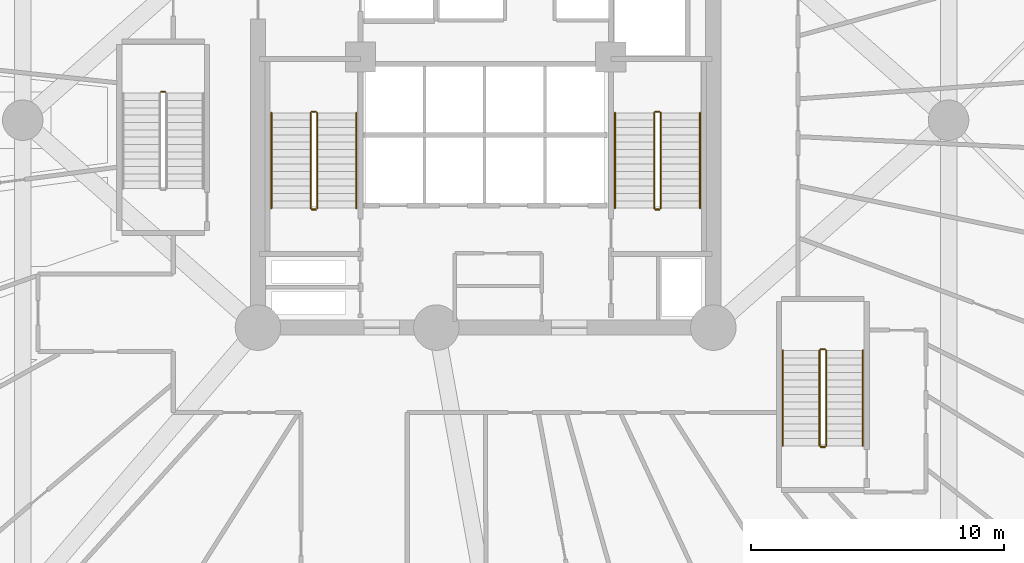
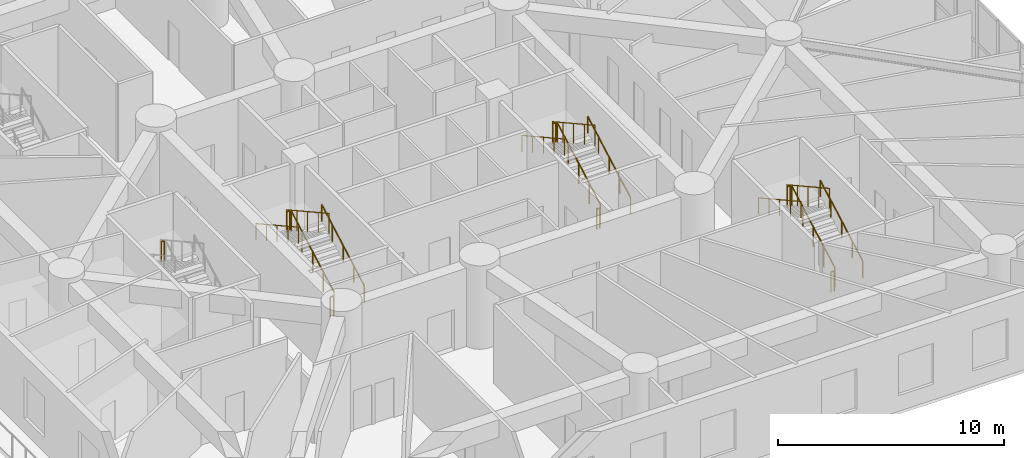
# One storey, part 21 of 24: 19 railings.
"""IFC4 building model written with IfcOpenShell, lengths in metres."""

from ifc_helpers import new_model, si_unit, direction, frame, origin, origin_2d, place, context, subcontext, project, spatial, circle, extrude, material, layer, layer_set, type_object, element, save


model = new_model("IFC4")

# Units and contexts
model_context = context("Model", 3, precision=1e-05, world=origin(), true_north=direction((0.0, 1.0)))
body_context = subcontext(model_context, "Body", "Model", "MODEL_VIEW")
ifc_project = project(units=[si_unit("LENGTHUNIT", "METRE"), si_unit("AREAUNIT", "SQUARE_METRE"), si_unit("VOLUMEUNIT", "CUBIC_METRE"), si_unit("PLANEANGLEUNIT", "RADIAN"), si_unit("MASSUNIT", "GRAM", prefix="KILO")], contexts=[model_context])

# Site, building, storey
site_placement = place(None, origin())
site = spatial("IfcSite", under=ifc_project, at=site_placement, CompositionType="ELEMENT")
building_placement = place(site_placement, origin())
building = spatial("IfcBuilding", under=site, at=building_placement, Name="Karkom Vertical University and Central Library", CompositionType="ELEMENT")
storey_placement = place(building_placement, frame((0.0, 0.0, 13.5)))
storey = spatial("IfcBuildingStorey", under=building, at=storey_placement, Name="L03", CompositionType="ELEMENT", Elevation=13.5)

# Railings
ifc_material_1 = material(Name="Painted galvanised steel balustrade", Category="steel")
ifc_layer_1 = layer(ifc_material_1, 0.06005859375)
ifc_layer_set_1 = layer_set([ifc_layer_1], Name="Painted galvanised steel balustrade")
railing_type_1 = type_object("IfcRailingType", Name="INT-RL-GUARD1100", PredefinedType="GUARDRAIL", material=ifc_layer_set_1)
railing_1_placement = place(storey_placement, frame((21.840087890625, 23.02001953125, 0.16064453125)))
element("IfcRailing", 1, at=railing_1_placement, inside=storey, type_object=railing_type_1, Name="Level 03 ST-1 stair guard 1", PredefinedType="GUARDRAIL", context=body_context, shape_type="SweptSolid", body=[
    extrude(circle(Radius=0.02392578125, at=origin_2d()), frame((0.0, 0.0, 1.076171875), z_axis=(0.0, 0.874659101714, 0.484738543742), x_axis=(-1.0, 0.0, 0.0)), (0.0, 0.0, 1.0), 4.310302734375),
    extrude(circle(Radius=0.02099609375, at=origin_2d()), origin(), (0.0, 0.0, 1.0), 1.052001953125),
    extrude(circle(Radius=0.02099609375, at=origin_2d()), frame((0.0, 0.9423828125, 0.5224609375)), (0.0, 0.0, 1.0), 1.052001953125),
    extrude(circle(Radius=0.02099609375, at=origin_2d()), frame((0.0, 1.885009765625, 1.044677734375)), (0.0, 0.0, 1.0), 1.052001953125),
    extrude(circle(Radius=0.02099609375, at=origin_2d()), frame((0.0, 2.82763671875, 1.56689453125)), (0.0, 0.0, 1.0), 1.052001953125),
    extrude(circle(Radius=0.02099609375, at=origin_2d()), frame((0.0, 3.77001953125, 2.08935546875)), (0.0, 0.0, 1.0), 1.052001953125),
])
railing_2_placement = place(storey_placement, frame((21.7900390625, 26.840087890625, 2.25)))
element("IfcRailing", 2, at=railing_2_placement, inside=storey, type_object=railing_type_1, Name="Level 03 ST-1 stair guard 2", PredefinedType="GUARDRAIL", context=body_context, shape_type="SweptSolid", body=[
    extrude(circle(Radius=0.02392578125, at=origin_2d()), frame((0.0, 0.0, 1.076171875), z_axis=(-1.0, 0.0, 0.0), x_axis=(0.0, -1.0, 0.0)), (0.0, 0.0, 1.0), 0.16015625),
    extrude(circle(Radius=0.02099609375, at=origin_2d()), origin(), (0.0, 0.0, 1.0), 1.052001953125),
    extrude(circle(Radius=0.02099609375, at=origin_2d()), frame((-0.16015625, 0.0, 0.0)), (0.0, 0.0, 1.0), 1.052001953125),
])
railing_3_placement = place(storey_placement, frame((21.580078125, 26.7900390625, 2.41064453125)))
element("IfcRailing", 3, at=railing_3_placement, inside=storey, type_object=railing_type_1, Name="Level 03 ST-1 stair guard 3", PredefinedType="GUARDRAIL", context=body_context, shape_type="SweptSolid", body=[
    extrude(circle(Radius=0.02392578125, at=origin_2d()), frame((0.0, 0.0, 1.076171875), z_axis=(0.0, -0.874659101714, 0.484738543742), x_axis=(1.0, 0.0, 0.0)), (0.0, 0.0, 1.0), 4.310302734375),
    extrude(circle(Radius=0.02099609375, at=origin_2d()), origin(), (0.0, 0.0, 1.0), 1.052001953125),
    extrude(circle(Radius=0.02099609375, at=origin_2d()), frame((0.0, -0.9423828125, 0.5224609375)), (0.0, 0.0, 1.0), 1.052001953125),
    extrude(circle(Radius=0.02099609375, at=origin_2d()), frame((0.0, -1.885009765625, 1.044677734375)), (0.0, 0.0, 1.0), 1.052001953125),
    extrude(circle(Radius=0.02099609375, at=origin_2d()), frame((0.0, -2.82763671875, 1.56689453125)), (0.0, 0.0, 1.0), 1.052001953125),
    extrude(circle(Radius=0.02099609375, at=origin_2d()), frame((0.0, -3.77001953125, 2.08935546875)), (0.0, 0.0, 1.0), 1.052001953125),
])
railing_4_placement = place(storey_placement, frame((21.7900390625, 22.969970703125, 0.0)))
element("IfcRailing", 4, at=railing_4_placement, inside=storey, type_object=railing_type_1, Name="Level 03 ST-1 stair guard 4", PredefinedType="GUARDRAIL", context=body_context, shape_type="SweptSolid", body=[
    extrude(circle(Radius=0.02392578125, at=origin_2d()), frame((0.0, 0.0, 1.076171875), z_axis=(-1.0, 0.0, 0.0), x_axis=(0.0, -1.0, 0.0)), (0.0, 0.0, 1.0), 0.16015625),
    extrude(circle(Radius=0.02099609375, at=origin_2d()), origin(), (0.0, 0.0, 1.0), 1.052001953125),
    extrude(circle(Radius=0.02099609375, at=origin_2d()), frame((-0.16015625, 0.0, 0.0)), (0.0, 0.0, 1.0), 1.052001953125),
])
railing_5_placement = place(storey_placement, frame((35.419921875, 23.02001953125, 0.16064453125)))
element("IfcRailing", 5, at=railing_5_placement, inside=storey, type_object=railing_type_1, Name="Level 03 ST-2 stair guard 1", PredefinedType="GUARDRAIL", context=body_context, shape_type="SweptSolid", body=[
    extrude(circle(Radius=0.02392578125, at=origin_2d()), frame((0.0, 0.0, 1.076171875), z_axis=(0.0, 0.874659101714, 0.484738543742), x_axis=(-1.0, 0.0, 0.0)), (0.0, 0.0, 1.0), 4.310302734375),
    extrude(circle(Radius=0.02099609375, at=origin_2d()), origin(), (0.0, 0.0, 1.0), 1.052001953125),
    extrude(circle(Radius=0.02099609375, at=origin_2d()), frame((0.0, 0.9423828125, 0.5224609375)), (0.0, 0.0, 1.0), 1.052001953125),
    extrude(circle(Radius=0.02099609375, at=origin_2d()), frame((0.0, 1.885009765625, 1.044677734375)), (0.0, 0.0, 1.0), 1.052001953125),
    extrude(circle(Radius=0.02099609375, at=origin_2d()), frame((0.0, 2.82763671875, 1.56689453125)), (0.0, 0.0, 1.0), 1.052001953125),
    extrude(circle(Radius=0.02099609375, at=origin_2d()), frame((0.0, 3.77001953125, 2.08935546875)), (0.0, 0.0, 1.0), 1.052001953125),
])
railing_6_placement = place(storey_placement, frame((35.3701171875, 26.840087890625, 2.25)))
element("IfcRailing", 6, at=railing_6_placement, inside=storey, type_object=railing_type_1, Name="Level 03 ST-2 stair guard 2", PredefinedType="GUARDRAIL", context=body_context, shape_type="SweptSolid", body=[
    extrude(circle(Radius=0.02392578125, at=origin_2d()), frame((0.0, 0.0, 1.076171875), z_axis=(-1.0, 0.0, 0.0), x_axis=(0.0, -1.0, 0.0)), (0.0, 0.0, 1.0), 0.16015625),
    extrude(circle(Radius=0.02099609375, at=origin_2d()), origin(), (0.0, 0.0, 1.0), 1.052001953125),
    extrude(circle(Radius=0.02099609375, at=origin_2d()), frame((-0.16015625, 0.0, 0.0)), (0.0, 0.0, 1.0), 1.052001953125),
])
railing_7_placement = place(storey_placement, frame((35.159912109375, 26.7900390625, 2.41064453125)))
element("IfcRailing", 7, at=railing_7_placement, inside=storey, type_object=railing_type_1, Name="Level 03 ST-2 stair guard 3", PredefinedType="GUARDRAIL", context=body_context, shape_type="SweptSolid", body=[
    extrude(circle(Radius=0.02392578125, at=origin_2d()), frame((0.0, 0.0, 1.076171875), z_axis=(0.0, -0.874659101714, 0.484738543742), x_axis=(1.0, 0.0, 0.0)), (0.0, 0.0, 1.0), 4.310302734375),
    extrude(circle(Radius=0.02099609375, at=origin_2d()), origin(), (0.0, 0.0, 1.0), 1.052001953125),
    extrude(circle(Radius=0.02099609375, at=origin_2d()), frame((0.0, -0.9423828125, 0.5224609375)), (0.0, 0.0, 1.0), 1.052001953125),
    extrude(circle(Radius=0.02099609375, at=origin_2d()), frame((0.0, -1.885009765625, 1.044677734375)), (0.0, 0.0, 1.0), 1.052001953125),
    extrude(circle(Radius=0.02099609375, at=origin_2d()), frame((0.0, -2.82763671875, 1.56689453125)), (0.0, 0.0, 1.0), 1.052001953125),
    extrude(circle(Radius=0.02099609375, at=origin_2d()), frame((0.0, -3.77001953125, 2.08935546875)), (0.0, 0.0, 1.0), 1.052001953125),
])
for number, where, name in (
    (8, (35.3701171875, 22.969970703125, 0.0), "Level 03 ST-2 stair guard 4"),
    (9, (15.830078125, 27.6201171875, 2.25), "Level 03 ST-3 stair guard 2"),
):
    element("IfcRailing", number, at=place(storey_placement, frame(where)), inside=storey, type_object=railing_type_1, Name=name, PredefinedType="GUARDRAIL", context=body_context, shape_type="SweptSolid", body=[
        extrude(circle(Radius=0.02392578125, at=origin_2d()), frame((0.0, 0.0, 1.076171875), z_axis=(-1.0, 0.0, 0.0), x_axis=(0.0, -1.0, 0.0)), (0.0, 0.0, 1.0), 0.16015625),
        extrude(circle(Radius=0.02099609375, at=origin_2d()), origin(), (0.0, 0.0, 1.0), 1.052001953125),
        extrude(circle(Radius=0.02099609375, at=origin_2d()), frame((-0.16015625, 0.0, 0.0)), (0.0, 0.0, 1.0), 1.052001953125),
    ])
railing_8_placement = place(storey_placement, frame((41.9599609375, 13.6298828125, 0.16064453125)))
element("IfcRailing", 10, at=railing_8_placement, inside=storey, type_object=railing_type_1, Name="Level 03 POD-ST1 stair guard 1", PredefinedType="GUARDRAIL", context=body_context, shape_type="SweptSolid", body=[
    extrude(circle(Radius=0.02392578125, at=origin_2d()), frame((0.0, 0.0, 1.076171875), z_axis=(0.0, 0.874659101714, 0.484738543742), x_axis=(-1.0, 0.0, 0.0)), (0.0, 0.0, 1.0), 4.310302734375),
    extrude(circle(Radius=0.02099609375, at=origin_2d()), origin(), (0.0, 0.0, 1.0), 1.052001953125),
    extrude(circle(Radius=0.02099609375, at=origin_2d()), frame((0.0, 0.9423828125, 0.5224609375)), (0.0, 0.0, 1.0), 1.052001953125),
    extrude(circle(Radius=0.02099609375, at=origin_2d()), frame((0.0, 1.885009765625, 1.044677734375)), (0.0, 0.0, 1.0), 1.052001953125),
    extrude(circle(Radius=0.02099609375, at=origin_2d()), frame((0.0, 2.82763671875, 1.56689453125)), (0.0, 0.0, 1.0), 1.052001953125),
    extrude(circle(Radius=0.02099609375, at=origin_2d()), frame((0.0, 3.77001953125, 2.08935546875)), (0.0, 0.0, 1.0), 1.052001953125),
])
railing_9_placement = place(storey_placement, frame((41.909912109375, 17.449951171875, 2.25)))
element("IfcRailing", 11, at=railing_9_placement, inside=storey, type_object=railing_type_1, Name="Level 03 POD-ST1 stair guard 2", PredefinedType="GUARDRAIL", context=body_context, shape_type="SweptSolid", body=[
    extrude(circle(Radius=0.02392578125, at=origin_2d()), frame((0.0, 0.0, 1.076171875), z_axis=(-1.0, 0.0, 0.0), x_axis=(0.0, -1.0, 0.0)), (0.0, 0.0, 1.0), 0.159912109375),
    extrude(circle(Radius=0.02099609375, at=origin_2d()), origin(), (0.0, 0.0, 1.0), 1.052001953125),
    extrude(circle(Radius=0.02099609375, at=origin_2d()), frame((-0.159912109375, 0.0, 0.0)), (0.0, 0.0, 1.0), 1.052001953125),
])
railing_10_placement = place(storey_placement, frame((41.699951171875, 17.39990234375, 2.41064453125)))
element("IfcRailing", 12, at=railing_10_placement, inside=storey, type_object=railing_type_1, Name="Level 03 POD-ST1 stair guard 3", PredefinedType="GUARDRAIL", context=body_context, shape_type="SweptSolid", body=[
    extrude(circle(Radius=0.02392578125, at=origin_2d()), frame((0.0, 0.0, 1.076171875), z_axis=(0.0, -0.874659101714, 0.484738543742), x_axis=(1.0, 0.0, 0.0)), (0.0, 0.0, 1.0), 4.310302734375),
    extrude(circle(Radius=0.02099609375, at=origin_2d()), origin(), (0.0, 0.0, 1.0), 1.052001953125),
    extrude(circle(Radius=0.02099609375, at=origin_2d()), frame((0.0, -0.9423828125, 0.5224609375)), (0.0, 0.0, 1.0), 1.052001953125),
    extrude(circle(Radius=0.02099609375, at=origin_2d()), frame((0.0, -1.885009765625, 1.044677734375)), (0.0, 0.0, 1.0), 1.052001953125),
    extrude(circle(Radius=0.02099609375, at=origin_2d()), frame((0.0, -2.82763671875, 1.56689453125)), (0.0, 0.0, 1.0), 1.052001953125),
    extrude(circle(Radius=0.02099609375, at=origin_2d()), frame((0.0, -3.77001953125, 2.08935546875)), (0.0, 0.0, 1.0), 1.052001953125),
])
railing_11_placement = place(storey_placement, frame((41.909912109375, 13.580078125, 0.0)))
element("IfcRailing", 13, at=railing_11_placement, inside=storey, type_object=railing_type_1, Name="Level 03 POD-ST1 stair guard 4", PredefinedType="GUARDRAIL", context=body_context, shape_type="SweptSolid", body=[
    extrude(circle(Radius=0.02392578125, at=origin_2d()), frame((0.0, 0.0, 1.076171875), z_axis=(-1.0, 0.0, 0.0), x_axis=(0.0, -1.0, 0.0)), (0.0, 0.0, 1.0), 0.159912109375),
    extrude(circle(Radius=0.02099609375, at=origin_2d()), origin(), (0.0, 0.0, 1.0), 1.052001953125),
    extrude(circle(Radius=0.02099609375, at=origin_2d()), frame((-0.159912109375, 0.0, 0.0)), (0.0, 0.0, 1.0), 1.052001953125),
])
ifc_material_2 = material(Name="Brushed stainless-steel tubular handrail", Category="steel")
ifc_layer_2 = layer(ifc_material_2, 0.048095703125)
ifc_layer_set_2 = layer_set([ifc_layer_2], Name="Brushed stainless-steel tubular handrail")
railing_type_2 = type_object("IfcRailingType", Name="INT-RL-HAND920", PredefinedType="HANDRAIL", material=ifc_layer_set_2)
railing_12_placement = place(storey_placement, frame((23.389892578125, 23.02001953125, 0.16064453125)))
element("IfcRailing", 14, at=railing_12_placement, inside=storey, type_object=railing_type_2, Name="Level 03 ST-1 stair handrail 1", PredefinedType="HANDRAIL", context=body_context, shape_type="SweptSolid", body=[
    extrude(circle(Radius=0.02392578125, at=origin_2d()), frame((0.0, 0.0, 0.8759765625), z_axis=(0.0, 0.874659101714, 0.484738543742), x_axis=(-1.0, 0.0, 0.0)), (0.0, 0.0, 1.0), 4.310302734375),
    extrude(circle(Radius=0.02099609375, at=origin_2d()), origin(), (0.0, 0.0, 1.0), 0.851806640625),
    extrude(circle(Radius=0.02099609375, at=origin_2d()), frame((0.0, 0.9423828125, 0.5224609375)), (0.0, 0.0, 1.0), 0.851806640625),
    extrude(circle(Radius=0.02099609375, at=origin_2d()), frame((0.0, 1.885009765625, 1.044677734375)), (0.0, 0.0, 1.0), 0.851806640625),
    extrude(circle(Radius=0.02099609375, at=origin_2d()), frame((0.0, 2.82763671875, 1.56689453125)), (0.0, 0.0, 1.0), 0.851806640625),
    extrude(circle(Radius=0.02099609375, at=origin_2d()), frame((0.0, 3.77001953125, 2.08935546875)), (0.0, 0.0, 1.0), 0.851806640625),
])
railing_13_placement = place(storey_placement, frame((20.030029296875, 26.7900390625, 2.41064453125)))
element("IfcRailing", 15, at=railing_13_placement, inside=storey, type_object=railing_type_2, Name="Level 03 ST-1 stair handrail 2", PredefinedType="HANDRAIL", context=body_context, shape_type="SweptSolid", body=[
    extrude(circle(Radius=0.02392578125, at=origin_2d()), frame((0.0, 0.0, 0.8759765625), z_axis=(0.0, -0.874659101714, 0.484738543742), x_axis=(1.0, 0.0, 0.0)), (0.0, 0.0, 1.0), 4.310302734375),
    extrude(circle(Radius=0.02099609375, at=origin_2d()), origin(), (0.0, 0.0, 1.0), 0.851806640625),
    extrude(circle(Radius=0.02099609375, at=origin_2d()), frame((0.0, -0.9423828125, 0.5224609375)), (0.0, 0.0, 1.0), 0.851806640625),
    extrude(circle(Radius=0.02099609375, at=origin_2d()), frame((0.0, -1.885009765625, 1.044677734375)), (0.0, 0.0, 1.0), 0.851806640625),
    extrude(circle(Radius=0.02099609375, at=origin_2d()), frame((0.0, -2.82763671875, 1.56689453125)), (0.0, 0.0, 1.0), 0.851806640625),
    extrude(circle(Radius=0.02099609375, at=origin_2d()), frame((0.0, -3.77001953125, 2.08935546875)), (0.0, 0.0, 1.0), 0.851806640625),
])
railing_14_placement = place(storey_placement, frame((36.969970703125, 23.02001953125, 0.16064453125)))
element("IfcRailing", 16, at=railing_14_placement, inside=storey, type_object=railing_type_2, Name="Level 03 ST-2 stair handrail 1", PredefinedType="HANDRAIL", context=body_context, shape_type="SweptSolid", body=[
    extrude(circle(Radius=0.02392578125, at=origin_2d()), frame((0.0, 0.0, 0.8759765625), z_axis=(0.0, 0.874659101714, 0.484738543742), x_axis=(-1.0, 0.0, 0.0)), (0.0, 0.0, 1.0), 4.310302734375),
    extrude(circle(Radius=0.02099609375, at=origin_2d()), origin(), (0.0, 0.0, 1.0), 0.851806640625),
    extrude(circle(Radius=0.02099609375, at=origin_2d()), frame((0.0, 0.9423828125, 0.5224609375)), (0.0, 0.0, 1.0), 0.851806640625),
    extrude(circle(Radius=0.02099609375, at=origin_2d()), frame((0.0, 1.885009765625, 1.044677734375)), (0.0, 0.0, 1.0), 0.851806640625),
    extrude(circle(Radius=0.02099609375, at=origin_2d()), frame((0.0, 2.82763671875, 1.56689453125)), (0.0, 0.0, 1.0), 0.851806640625),
    extrude(circle(Radius=0.02099609375, at=origin_2d()), frame((0.0, 3.77001953125, 2.08935546875)), (0.0, 0.0, 1.0), 0.851806640625),
])
railing_15_placement = place(storey_placement, frame((33.610107421875, 26.7900390625, 2.41064453125)))
element("IfcRailing", 17, at=railing_15_placement, inside=storey, type_object=railing_type_2, Name="Level 03 ST-2 stair handrail 2", PredefinedType="HANDRAIL", context=body_context, shape_type="SweptSolid", body=[
    extrude(circle(Radius=0.02392578125, at=origin_2d()), frame((0.0, 0.0, 0.8759765625), z_axis=(0.0, -0.874659101714, 0.484738543742), x_axis=(1.0, 0.0, 0.0)), (0.0, 0.0, 1.0), 4.310302734375),
    extrude(circle(Radius=0.02099609375, at=origin_2d()), origin(), (0.0, 0.0, 1.0), 0.851806640625),
    extrude(circle(Radius=0.02099609375, at=origin_2d()), frame((0.0, -0.9423828125, 0.5224609375)), (0.0, 0.0, 1.0), 0.851806640625),
    extrude(circle(Radius=0.02099609375, at=origin_2d()), frame((0.0, -1.885009765625, 1.044677734375)), (0.0, 0.0, 1.0), 0.851806640625),
    extrude(circle(Radius=0.02099609375, at=origin_2d()), frame((0.0, -2.82763671875, 1.56689453125)), (0.0, 0.0, 1.0), 0.851806640625),
    extrude(circle(Radius=0.02099609375, at=origin_2d()), frame((0.0, -3.77001953125, 2.08935546875)), (0.0, 0.0, 1.0), 0.851806640625),
])
railing_16_placement = place(storey_placement, frame((43.409912109375, 13.6298828125, 0.16064453125)))
element("IfcRailing", 18, at=railing_16_placement, inside=storey, type_object=railing_type_2, Name="Level 03 POD-ST1 stair handrail 1", PredefinedType="HANDRAIL", context=body_context, shape_type="SweptSolid", body=[
    extrude(circle(Radius=0.02392578125, at=origin_2d()), frame((0.0, 0.0, 0.8759765625), z_axis=(0.0, 0.874659101714, 0.484738543742), x_axis=(-1.0, 0.0, 0.0)), (0.0, 0.0, 1.0), 4.310302734375),
    extrude(circle(Radius=0.02099609375, at=origin_2d()), origin(), (0.0, 0.0, 1.0), 0.851806640625),
    extrude(circle(Radius=0.02099609375, at=origin_2d()), frame((0.0, 0.9423828125, 0.5224609375)), (0.0, 0.0, 1.0), 0.851806640625),
    extrude(circle(Radius=0.02099609375, at=origin_2d()), frame((0.0, 1.885009765625, 1.044677734375)), (0.0, 0.0, 1.0), 0.851806640625),
    extrude(circle(Radius=0.02099609375, at=origin_2d()), frame((0.0, 2.82763671875, 1.56689453125)), (0.0, 0.0, 1.0), 0.851806640625),
    extrude(circle(Radius=0.02099609375, at=origin_2d()), frame((0.0, 3.77001953125, 2.08935546875)), (0.0, 0.0, 1.0), 0.851806640625),
])
railing_17_placement = place(storey_placement, frame((40.25, 17.39990234375, 2.41064453125)))
element("IfcRailing", 19, at=railing_17_placement, inside=storey, type_object=railing_type_2, Name="Level 03 POD-ST1 stair handrail 2", PredefinedType="HANDRAIL", context=body_context, shape_type="SweptSolid", body=[
    extrude(circle(Radius=0.02392578125, at=origin_2d()), frame((0.0, 0.0, 0.8759765625), z_axis=(0.0, -0.874659101714, 0.484738543742), x_axis=(1.0, 0.0, 0.0)), (0.0, 0.0, 1.0), 4.310302734375),
    extrude(circle(Radius=0.02099609375, at=origin_2d()), origin(), (0.0, 0.0, 1.0), 0.851806640625),
    extrude(circle(Radius=0.02099609375, at=origin_2d()), frame((0.0, -0.9423828125, 0.5224609375)), (0.0, 0.0, 1.0), 0.851806640625),
    extrude(circle(Radius=0.02099609375, at=origin_2d()), frame((0.0, -1.885009765625, 1.044677734375)), (0.0, 0.0, 1.0), 0.851806640625),
    extrude(circle(Radius=0.02099609375, at=origin_2d()), frame((0.0, -2.82763671875, 1.56689453125)), (0.0, 0.0, 1.0), 0.851806640625),
    extrude(circle(Radius=0.02099609375, at=origin_2d()), frame((0.0, -3.77001953125, 2.08935546875)), (0.0, 0.0, 1.0), 0.851806640625),
])

save(model, "model.ifc")
